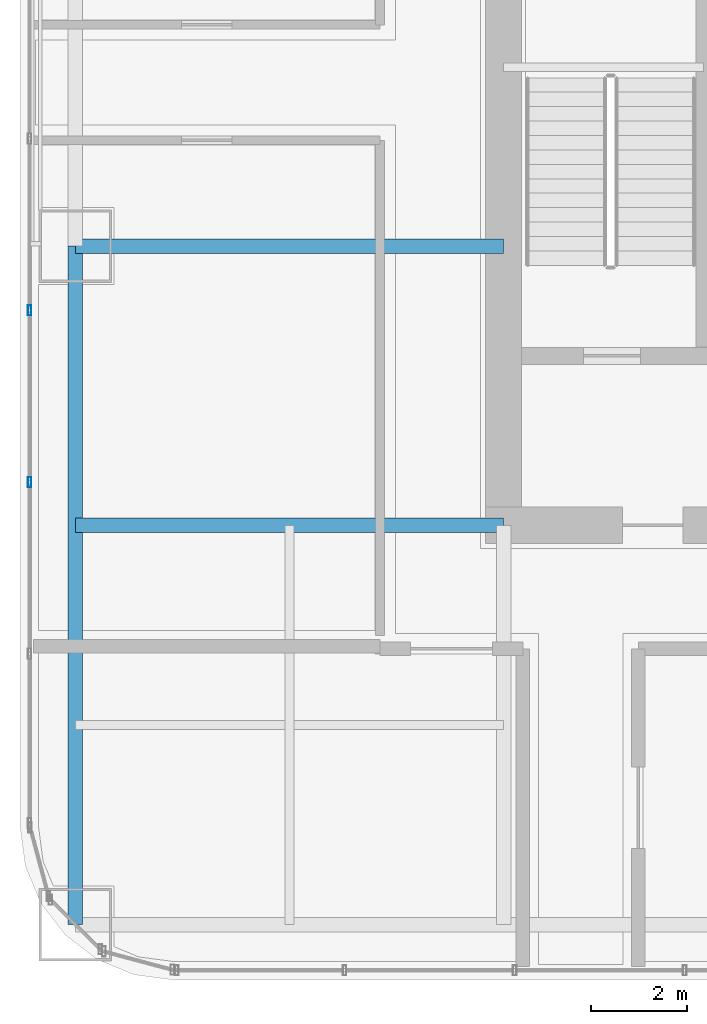
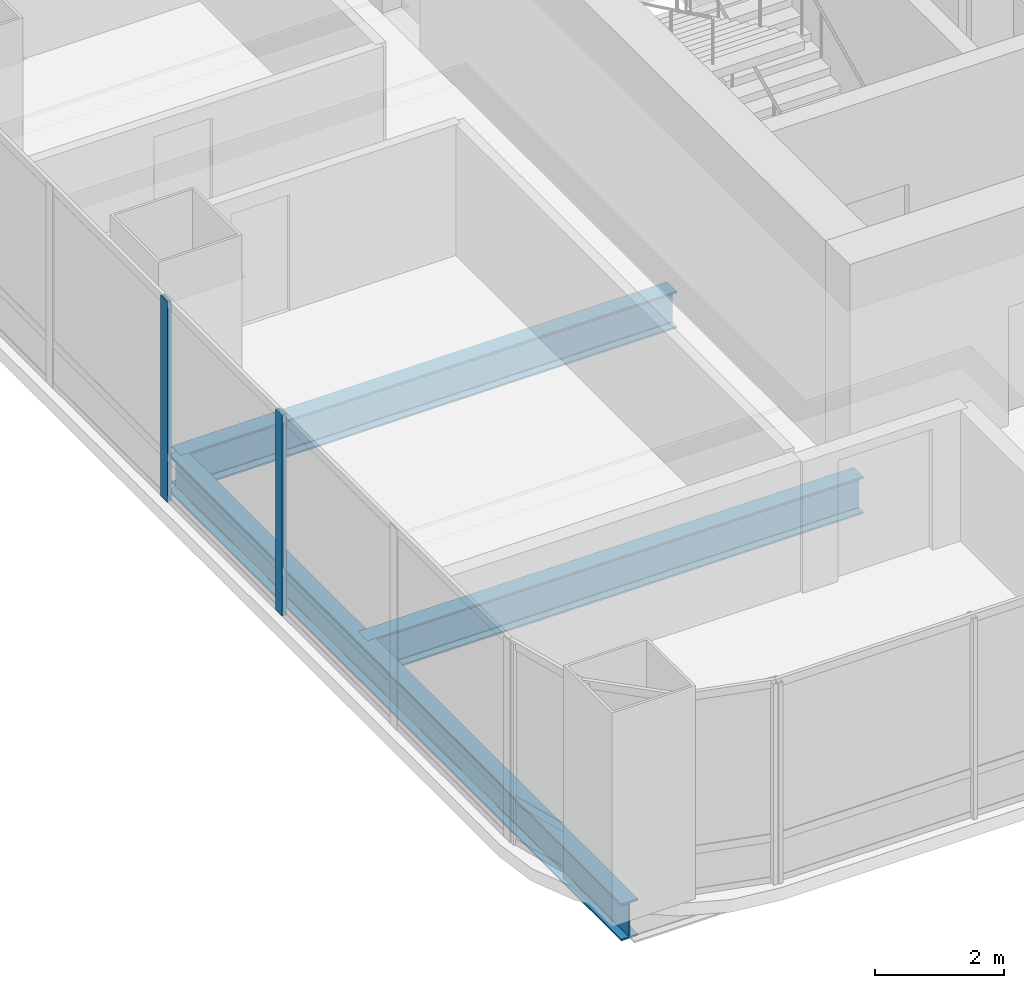
# One storey, part 4 of 34: 3 beams, 2 members, 1 element without a shape of its own.
"""IFC4 building model written with IfcOpenShell, lengths in metres."""

import ifcopenshell
import ifcopenshell.guid

model = None  # the IFC model being written
_history = None  # IfcOwnerHistory: only IFC2X3 demands one
_inside = {}  # id of a spatial element -> (the spatial element, [elements in it])
_under = {}  # id of a project, library or spatial element -> (it, [spatial elements below it])
_declared = {}  # id of a project -> (the project, [libraries it declares])
_typed = {}  # id of a type object -> (the type object, [elements of that type])
_made_of = {}  # id of a material, layer set ... -> (it, [elements and type objects made of it])


def new_model(schema):
    """Start an empty IFC model of exactly this schema.

    Asked for "IFC4X3", IfcOpenShell would pick the latest addendum, in which some entities
    have other attributes; the version numbers below select the first issue.
    IFC2X3 requires an IfcOwnerHistory on every rooted entity: one is made here for all.
    """
    global model, _history
    if schema == "IFC4X3":
        model = ifcopenshell.file(schema_version=(4, 3, 0, 0))
    else:
        model = ifcopenshell.file(schema=schema)
    _inside.clear()
    _under.clear()
    _declared.clear()
    _typed.clear()
    _made_of.clear()
    _history = None
    if model.schema == "IFC2X3":
        org = make("IfcOrganization", Name="unknown")
        user = make(
            "IfcPersonAndOrganization",
            ThePerson=make("IfcPerson", FamilyName="unknown"),
            TheOrganization=org,
        )
        app = make(
            "IfcApplication",
            ApplicationDeveloper=org,
            Version="unknown",
            ApplicationFullName="unknown",
            ApplicationIdentifier="unknown",
        )
        _history = make(
            "IfcOwnerHistory",
            OwningUser=user,
            OwningApplication=app,
            ChangeAction="ADDED",
            CreationDate=0,
        )
    return model


def make(cls, **values):
    """One entity of the class cls with the attributes given. An attribute that is None is left unset."""
    return model.create_entity(
        cls, **{name: value for name, value in values.items() if value is not None}
    )


def rooted(cls, **values):
    """An entity with a GlobalId (a new one), such as an element, a storey or a relation."""
    return make(cls, GlobalId=ifcopenshell.guid.new(), OwnerHistory=_history, **values)


def si_unit(unit_type, name, prefix=None):
    """IfcSIUnit, for example si_unit("LENGTHUNIT", "METRE", prefix="MILLI")."""
    return make("IfcSIUnit", UnitType=unit_type, Prefix=prefix, Name=name)


def assignment(units):
    """IfcUnitAssignment: the units of a project."""
    return None if units is None else make("IfcUnitAssignment", Units=units)


def point(xyz):
    """IfcCartesianPoint."""
    return None if xyz is None else make("IfcCartesianPoint", Coordinates=xyz)


def direction(xyz):
    """IfcDirection."""
    return None if xyz is None else make("IfcDirection", DirectionRatios=xyz)


def frame(location, z_axis=None, x_axis=None):
    """IfcAxis2Placement3D, a coordinate frame: its origin and axes. An axis left out is left unset."""
    return make(
        "IfcAxis2Placement3D",
        Location=point(location),
        Axis=direction(z_axis),
        RefDirection=direction(x_axis),
    )


def frame_2d(location, x_axis=None):
    """IfcAxis2Placement2D, a coordinate frame in the plane: its origin and x axis."""
    return make(
        "IfcAxis2Placement2D", Location=point(location), RefDirection=direction(x_axis)
    )


def origin():
    """The frame at (0, 0, 0) with its axes left unset."""
    return frame((0.0, 0.0, 0.0))


def origin_2d():
    """The frame at (0, 0) in the plane with its x axis left unset."""
    return frame_2d((0.0, 0.0))


def place(relative_to, where):
    """IfcLocalPlacement: puts the frame where relative to a parent placement (None: the world)."""
    return make(
        "IfcLocalPlacement", PlacementRelTo=relative_to, RelativePlacement=where
    )


def context(
    kind, dimensions, precision=None, world=None, true_north=None, identifier=None
):
    """IfcGeometricRepresentationContext, for example the 3D "Model" context."""
    return make(
        "IfcGeometricRepresentationContext",
        ContextIdentifier=identifier,
        ContextType=kind,
        CoordinateSpaceDimension=dimensions,
        Precision=precision,
        WorldCoordinateSystem=world,
        TrueNorth=true_north,
    )


def subcontext(parent, identifier, kind, view, scale=None):
    """IfcGeometricRepresentationSubContext, for example "Body" below "Model"."""
    return make(
        "IfcGeometricRepresentationSubContext",
        ContextIdentifier=identifier,
        ContextType=kind,
        ParentContext=parent,
        TargetScale=scale,
        TargetView=view,
    )


def project(units=None, contexts=None):
    """IfcProject with its units and contexts."""
    return rooted(
        "IfcProject",
        Name="project",
        RepresentationContexts=contexts,
        UnitsInContext=assignment(units),
    )


def spatial(cls, under=None, at=None, **own):
    """A site, building, storey or space (cls), placed at a placement, below another one or the project."""
    s = rooted(cls, ObjectPlacement=at, **own)
    if under is not None:
        _under.setdefault(under.id(), (under, []))[1].append(s)
    return s


def profile(cls, at=None, kind="AREA", **sizes):
    """A parametric profile (cls). Its sizes go by their IFC names, for example OverallWidth=200.0."""
    return make(cls, ProfileType=kind, Position=at, **sizes)


def hollow_rectangle(**sizes):
    """IfcRectangleHollowProfileDef."""
    return profile("IfcRectangleHollowProfileDef", **sizes)


def i_section(**sizes):
    """IfcIShapeProfileDef."""
    return profile("IfcIShapeProfileDef", **sizes)


def extrude(swept, where, along, depth):
    """IfcExtrudedAreaSolid: the profile swept, set in the frame where, extruded along a direction by depth."""
    return make(
        "IfcExtrudedAreaSolid",
        SweptArea=swept,
        Position=where,
        ExtrudedDirection=direction(along),
        Depth=depth,
    )


def shape(context_of_items, identifier, shape_type, items):
    """IfcShapeRepresentation: the items that make up one representation, for example the "Body"."""
    return make(
        "IfcShapeRepresentation",
        ContextOfItems=context_of_items,
        RepresentationIdentifier=identifier,
        RepresentationType=shape_type,
        Items=items,
    )


def material(Name=None, Category=None):
    """IfcMaterial."""
    return make("IfcMaterial", Name=Name, Category=Category)


def material_profile(
    of_material, cross_section, Name=None, Category=None, Priority=None
):
    """IfcMaterialProfile: a cross section and its material."""
    return make(
        "IfcMaterialProfile",
        Name=Name,
        Material=of_material,
        Profile=cross_section,
        Priority=Priority,
        Category=Category,
    )


def profile_set(profiles, Name=None, composite=None):
    """IfcMaterialProfileSet."""
    return make(
        "IfcMaterialProfileSet",
        Name=Name,
        MaterialProfiles=profiles,
        CompositeProfile=composite,
    )


def made_of(thing, what):
    """Note that an element or type object is made of a material, layer set ...; save() writes the relation."""
    if what is not None:
        _made_of.setdefault(what.id(), (what, []))[1].append(thing)
    return thing


def type_object(cls, material=None, **own):
    """A type object (cls), such as IfcWallType, which elements share."""
    return made_of(rooted(cls, **own), material)


def element(
    cls,
    number,
    at=None,
    inside=None,
    cuts=None,
    type_object=None,
    material=None,
    context=None,
    identifier="Body",
    shape_type=None,
    held_by="IfcProductDefinitionShape",
    body=None,
    shapes=None,
    **own,
):
    """One element of the class cls, such as IfcWall. Its Tag is "e" and its number.

    at: its placement. inside: the storey or other place that contains it. cuts: it is an
    opening in that element (IfcRelVoidsElement). A single representation is given by context,
    identifier, shape_type and body (its items); several are given by shapes. held_by: the class
    of the entity that holds the representations. save() writes the other relations.
    """
    e = rooted(cls, Tag="e%d" % number, ObjectPlacement=at, **own)
    if body is not None:
        shapes = [shape(context, identifier, shape_type, body)]
    if shapes is not None:
        e.Representation = make(held_by, Representations=shapes)
    if inside is not None:
        _inside.setdefault(inside.id(), (inside, []))[1].append(e)
    if cuts is not None:
        rooted(
            "IfcRelVoidsElement", RelatingBuildingElement=cuts, RelatedOpeningElement=e
        )
    if type_object is not None:
        _typed.setdefault(type_object.id(), (type_object, []))[1].append(e)
    return made_of(e, material)


def aggregate(whole, parts):
    """IfcRelAggregates: a whole, such as a stair, and the parts it consists of."""
    return rooted("IfcRelAggregates", RelatingObject=whole, RelatedObjects=parts)


def save(model, path):
    """Write the relations noted so far, then the file.

    IfcRelAggregates (storeys below a building ...), IfcRelContainedInSpatialStructure (elements
    in a storey), IfcRelDefinesByType, IfcRelAssociatesMaterial and IfcRelDeclares: one each for
    every whole, place, type object, material and project.
    """
    for whole, parts in _under.values():
        aggregate(whole, parts)
    for where, things in _inside.values():
        rooted(
            "IfcRelContainedInSpatialStructure",
            RelatedElements=things,
            RelatingStructure=where,
        )
    for kind, things in _typed.values():
        rooted("IfcRelDefinesByType", RelatedObjects=things, RelatingType=kind)
    for what, things in _made_of.values():
        rooted("IfcRelAssociatesMaterial", RelatedObjects=things, RelatingMaterial=what)
    for by, libraries in _declared.values():
        rooted("IfcRelDeclares", RelatingContext=by, RelatedDefinitions=libraries)
    model.write(path)


model = new_model("IFC4")

# Units and contexts
model_context = context("Model", 3, precision=1e-05, world=origin(), true_north=direction((0.0, 1.0)))
body_context = subcontext(model_context, "Body", "Model", "MODEL_VIEW")
ifc_project = project(units=[si_unit("LENGTHUNIT", "METRE"), si_unit("AREAUNIT", "SQUARE_METRE"), si_unit("VOLUMEUNIT", "CUBIC_METRE"), si_unit("PLANEANGLEUNIT", "RADIAN"), si_unit("MASSUNIT", "GRAM", prefix="KILO")], contexts=[model_context])

# Site, building, storey
site_placement = place(None, origin())
site = spatial("IfcSite", under=ifc_project, at=site_placement, CompositionType="ELEMENT")
building_placement = place(site_placement, origin())
building = spatial("IfcBuilding", under=site, at=building_placement, Name="Punatoya Terracotta Tower", CompositionType="ELEMENT")
storey_placement = place(building_placement, frame((0.0, 0.0, 105.14990234375)))
storey = spatial("IfcBuildingStorey", under=building, at=storey_placement, Name="L24", CompositionType="ELEMENT", Elevation=105.14990234375)

# Beams
ifc_material_1 = material(Name="Steel S355", Category="steel")
ifc_material_profile_1 = material_profile(ifc_material_1, i_section(OverallWidth=0.300048828125, OverallDepth=0.699951171875, WebThickness=0.01708984375, FlangeThickness=0.031982421875, FilletRadius=0.01806640625, at=origin_2d()))
ifc_profile_set_1 = profile_set([ifc_material_profile_1], Name="Steel S355")
beam_type = type_object("IfcBeamType", Name="BM-PRI-700", PredefinedType="BEAM", material=ifc_profile_set_1)
beam_placement = place(storey_placement, frame((-19.10009765625, -17.5, -0.58984375), z_axis=(0.0, 1.0, 0.0), x_axis=(-1.0, 0.0, 0.0)))
element("IfcBeam", 1, at=beam_placement, inside=storey, type_object=beam_type, Name="BM-L24-RG-W1", PredefinedType="BEAM", context=body_context, shape_type="SweptSolid", body=[
    extrude(i_section(OverallWidth=0.300048828125, OverallDepth=0.699951171875, WebThickness=0.01708984375, FlangeThickness=0.031982421875, FilletRadius=0.01806640625, at=origin_2d()), origin(), (0.0, 0.0, 1.0), 14.10009765625),
])
for number, where, z_axis, x_axis, name in (
    (2, (-19.10009765625, -9.199951171875, -0.58984375), (1.0, 0.0, 0.0), (0.0, 1.0, 0.0), "BM-L24-PR-WS"),
    (3, (-19.10009765625, -3.39990234375, -0.58984375), (1.0, 0.0, 0.0), (0.0, 1.0, 0.0), "BM-L24-PR-WD"),
):
    element("IfcBeam", number, at=place(storey_placement, frame(where, z_axis=z_axis, x_axis=x_axis)), inside=storey, type_object=beam_type, Name=name, PredefinedType="BEAM", context=body_context, shape_type="SweptSolid", body=[
        extrude(i_section(OverallWidth=0.300048828125, OverallDepth=0.699951171875, WebThickness=0.01708984375, FlangeThickness=0.031982421875, FilletRadius=0.01806640625, at=origin_2d()), origin(), (0.0, 0.0, 1.0), 8.900146484375),
    ])

# Curtain wall, members
ifc_material_2 = material(Name="Aluminium 6063-T6 + Double Low-E Glass", Category="aluminium")
curtain_wall_type = type_object("IfcCurtainWallType", Name="CW-M1", PredefinedType="NOTDEFINED", material=ifc_material_2)
curtain_wall_placement = place(storey_placement, origin())
curtain_wall = element("IfcCurtainWall", 4, at=curtain_wall_placement, inside=storey, type_object=curtain_wall_type, Name="L24 Curtain Wall CW-L24-W13-1", PredefinedType="NOTDEFINED")
ifc_material_3 = material(Name="Aluminium 6063-T6", Category="aluminium")
ifc_material_profile_2 = material_profile(ifc_material_3, hollow_rectangle(XDim=0.074951171875, YDim=0.2099609375, WallThickness=0.00439453125, at=origin_2d()))
ifc_profile_set_2 = profile_set([ifc_material_profile_2], Name="Aluminium 6063-T6")
member_type = type_object("IfcMemberType", Name="CW-MUL-M1", PredefinedType="MULLION", material=ifc_profile_set_2)
member_1_placement = place(storey_placement, frame((-20.050048828125, -4.73486328125, 0.0), z_axis=(0.0, 0.0, 1.0), x_axis=(1.0, 0.0, 0.0)))
member_1 = element("IfcMember", 5, at=member_1_placement, type_object=member_type, Name="CW-L24-W13-1 Mullion 07", PredefinedType="MULLION", context=body_context, shape_type="SweptSolid", body=[
    extrude(hollow_rectangle(XDim=0.074951171875, YDim=0.2099609375, WallThickness=0.00439453125, at=origin_2d()), origin(), (0.0, 0.0, 1.0), 3.81005859375),
])
member_2_placement = place(storey_placement, frame((-20.050048828125, -8.302001953125, 0.0), z_axis=(0.0, 0.0, 1.0), x_axis=(1.0, 0.0, 0.0)))
member_2 = element("IfcMember", 6, at=member_2_placement, type_object=member_type, Name="CW-L24-W13-1 Mullion 08", PredefinedType="MULLION", context=body_context, shape_type="SweptSolid", body=[
    extrude(hollow_rectangle(XDim=0.074951171875, YDim=0.2099609375, WallThickness=0.00439453125, at=origin_2d()), origin(), (0.0, 0.0, 1.0), 3.81005859375),
])
aggregate(curtain_wall, [member_1, member_2])

save(model, "model.ifc")
